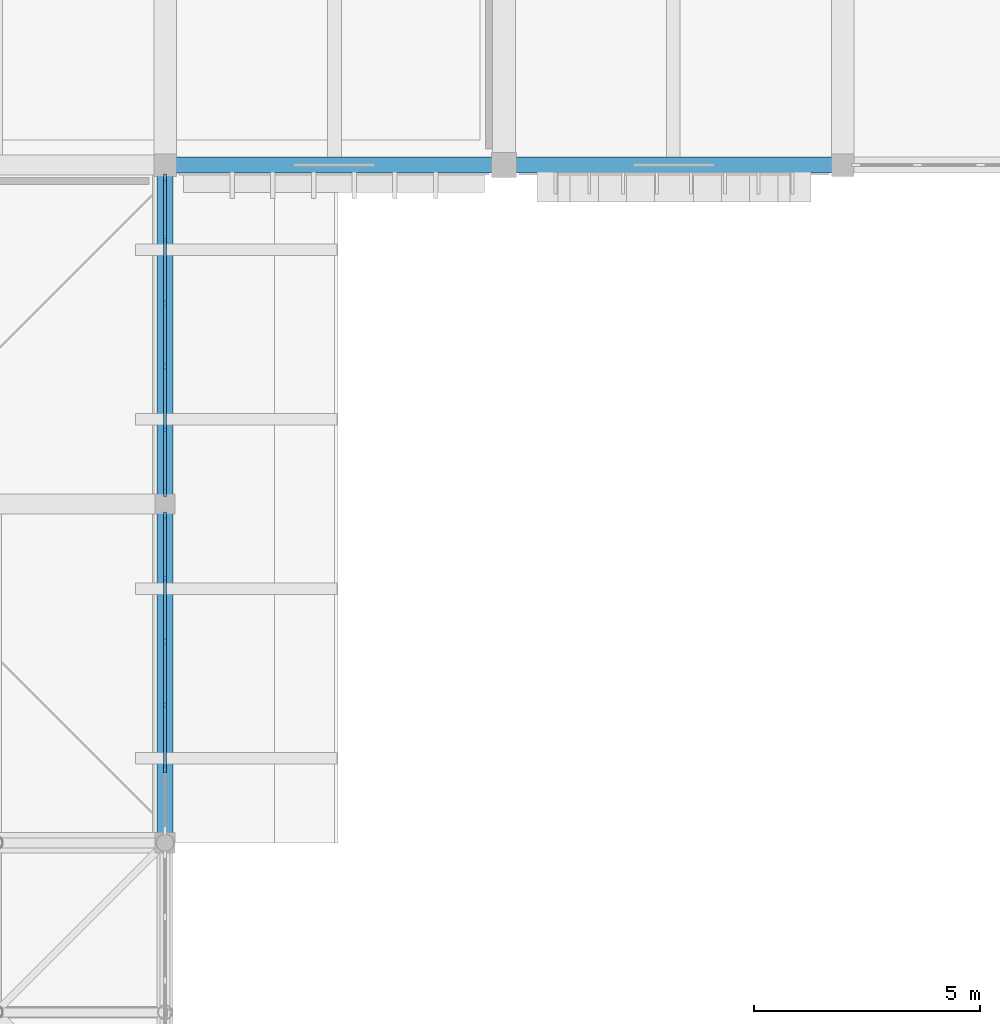
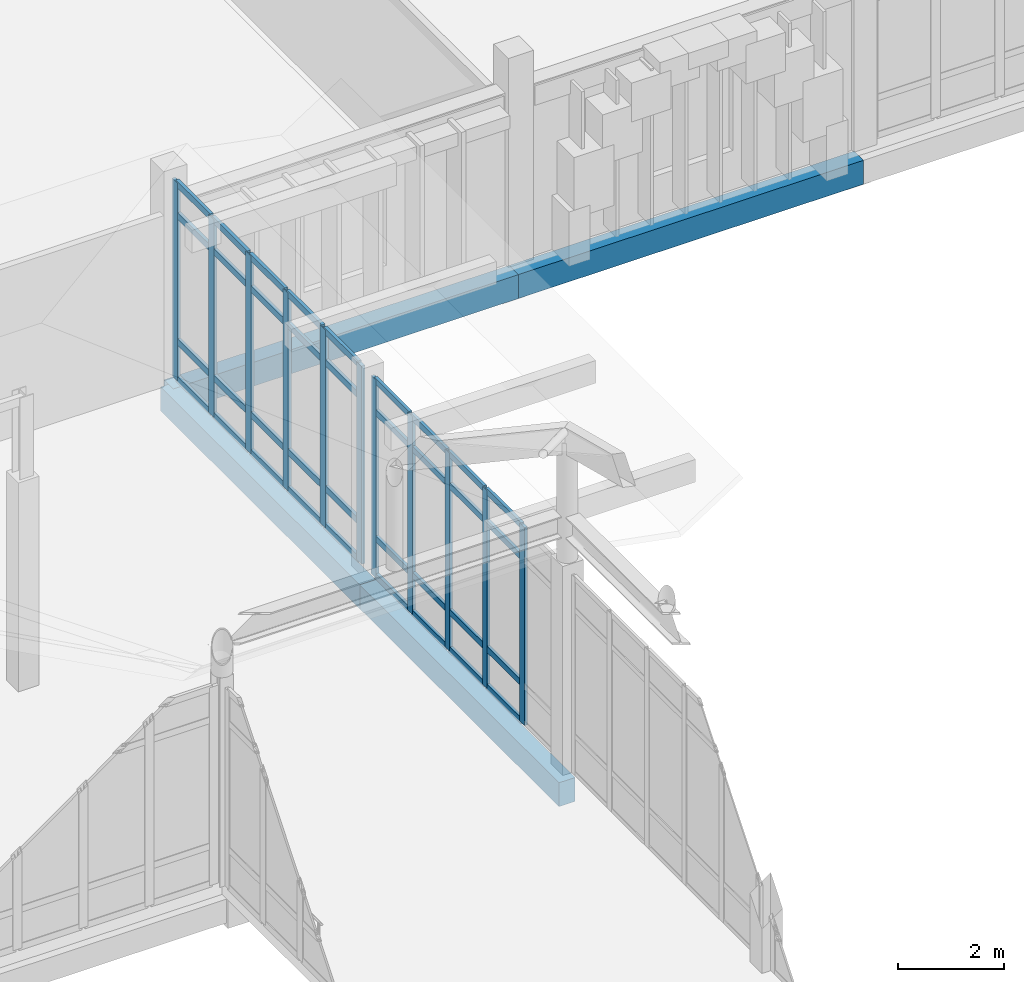
# One storey, part 59 of 131: 47 members, 4 beams, 2 elements without a shape of their own.
"""IFC4 building model written with IfcOpenShell, lengths in metres."""

from ifc_helpers import new_model, si_unit, direction, frame, origin, origin_2d, place, context, subcontext, project, spatial, rectangle, extrude, material, layer, layer_set, material_profile, profile_set, type_object, element, aggregate, save


model = new_model("IFC4")

# Units and contexts
model_context = context("Model", 3, precision=1e-05, world=origin(), true_north=direction((0.0, 1.0)))
body_context = subcontext(model_context, "Body", "Model", "MODEL_VIEW")
ifc_project = project(units=[si_unit("LENGTHUNIT", "METRE"), si_unit("AREAUNIT", "SQUARE_METRE"), si_unit("VOLUMEUNIT", "CUBIC_METRE"), si_unit("PLANEANGLEUNIT", "RADIAN"), si_unit("MASSUNIT", "GRAM", prefix="KILO")], contexts=[model_context])

# Site, building, storey
site_placement = place(None, origin())
site = spatial("IfcSite", under=ifc_project, at=site_placement, CompositionType="ELEMENT")
building_placement = place(site_placement, origin())
building = spatial("IfcBuilding", under=site, at=building_placement, Name="Dalvernix Boulevard General Hospital", CompositionType="ELEMENT")
storey_placement = place(building_placement, frame((0.0, 0.0, 9.300048828125)))
storey = spatial("IfcBuildingStorey", under=building, at=storey_placement, Name="L02", CompositionType="ELEMENT", Elevation=9.300048828125)

# Beams
ifc_material_1 = material(Name="Concrete C35/45", Category="concrete")
ifc_material_profile_1 = material_profile(ifc_material_1, rectangle(XDim=0.35009765625, YDim=0.550048828125, at=origin_2d()), Name="RCB 350x550")
ifc_profile_set_1 = profile_set([ifc_material_profile_1], Name="Concrete C35/45")
beam_type = type_object("IfcBeamType", Name="BM-SB-01-E", PredefinedType="SPANDREL", material=ifc_profile_set_1)
for number, where, z_axis, x_axis, name in (
    (1, (112.5, 76.5, -0.594970703125), (1.0, 0.0, 0.0), (0.0, 1.0, 0.0), "L02 E-W girder L:16-17"),
    (2, (120.0, 76.5, -0.594970703125), (1.0, 0.0, 0.0), (0.0, 1.0, 0.0), "L02 E-W girder L:17-18"),
    (3, (112.5, 61.5, -0.594970703125), (0.0, 1.0, 0.0), (-1.0, 0.0, 0.0), "L02 N-S girder 16:J-K"),
    (4, (112.5, 69.0, -0.594970703125), (0.0, 1.0, 0.0), (-1.0, 0.0, 0.0), "L02 N-S girder 16:K-L"),
):
    element("IfcBeam", number, at=place(storey_placement, frame(where, z_axis=z_axis, x_axis=x_axis)), inside=storey, type_object=beam_type, Name=name, PredefinedType="SPANDREL", context=body_context, shape_type="SweptSolid", body=[
        extrude(rectangle(XDim=0.35009765625, YDim=0.550048828125, at=origin_2d()), origin(), (0.0, 0.0, 1.0), 7.5),
    ])

# Curtain wall, members
ifc_material_2 = material(Name="Thermally broken aluminium and solar-control glass curtain wall", Category="aluminium")
ifc_layer_1 = layer(ifc_material_2, 0.179931640625)
ifc_layer_set_1 = layer_set([ifc_layer_1], Name="Thermally broken aluminium and solar-control glass curtain wall (CW-CW-B-70x46)")
curtain_wall_type_1 = type_object("IfcCurtainWallType", Name="CW-CW-B-70x46", PredefinedType="USERDEFINED", material=ifc_layer_set_1)
curtain_wall_1_placement = place(storey_placement, origin())
curtain_wall_1 = element("IfcCurtainWall", 5, at=curtain_wall_1_placement, inside=storey, type_object=curtain_wall_type_1, Name="L02 curtain wall CW-B-70x46 15-8", ObjectType="GLAZED FACADE", PredefinedType="USERDEFINED")
ifc_material_3 = material(Name="Aluminium EN AW-6060", Category="aluminium")
ifc_material_profile_2 = material_profile(ifc_material_3, rectangle(XDim=0.06494140625, YDim=0.179931640625, at=origin_2d()), Name="ALU MULL 65x180")
ifc_profile_set_2 = profile_set([ifc_material_profile_2], Name="Aluminium EN AW-6060")
member_type_1 = type_object("IfcMemberType", Name="MEM-CW-M2", PredefinedType="MULLION", material=ifc_profile_set_2)
member_1_placement = place(storey_placement, frame((112.5, 68.732421875, 0.0), z_axis=(0.0, 0.0, 1.0), x_axis=(1.0, 0.0, 0.0)))
member_1 = element("IfcMember", 6, at=member_1_placement, type_object=member_type_1, Name="CW-B-70x46 mullion 1", PredefinedType="MULLION", context=body_context, shape_type="SweptSolid", body=[
    extrude(rectangle(XDim=0.06494140625, YDim=0.179931640625, at=origin_2d()), origin(), (0.0, 0.0, 1.0), 4.550048828125),
])
member_2_placement = place(storey_placement, frame((112.5, 67.35888671875, 0.0), z_axis=(0.0, 0.0, 1.0), x_axis=(1.0, 0.0, 0.0)))
member_2 = element("IfcMember", 7, at=member_2_placement, type_object=member_type_1, Name="CW-B-70x46 mullion 2", PredefinedType="MULLION", context=body_context, shape_type="SweptSolid", body=[
    extrude(rectangle(XDim=0.06494140625, YDim=0.179931640625, at=origin_2d()), origin(), (0.0, 0.0, 1.0), 4.550048828125),
])
member_3_placement = place(storey_placement, frame((112.5, 65.952880859375, 0.0), z_axis=(0.0, 0.0, 1.0), x_axis=(1.0, 0.0, 0.0)))
member_3 = element("IfcMember", 8, at=member_3_placement, type_object=member_type_1, Name="CW-B-70x46 mullion 3", PredefinedType="MULLION", context=body_context, shape_type="SweptSolid", body=[
    extrude(rectangle(XDim=0.06494140625, YDim=0.179931640625, at=origin_2d()), origin(), (0.0, 0.0, 1.0), 4.550048828125),
])
member_4_placement = place(storey_placement, frame((112.5, 64.547119140625, 0.0), z_axis=(0.0, 0.0, 1.0), x_axis=(1.0, 0.0, 0.0)))
member_4 = element("IfcMember", 9, at=member_4_placement, type_object=member_type_1, Name="CW-B-70x46 mullion 4", PredefinedType="MULLION", context=body_context, shape_type="SweptSolid", body=[
    extrude(rectangle(XDim=0.06494140625, YDim=0.179931640625, at=origin_2d()), origin(), (0.0, 0.0, 1.0), 4.550048828125),
])
member_5_placement = place(storey_placement, frame((112.5, 63.14111328125, 0.0), z_axis=(0.0, 0.0, 1.0), x_axis=(1.0, 0.0, 0.0)))
member_5 = element("IfcMember", 10, at=member_5_placement, type_object=member_type_1, Name="CW-B-70x46 mullion 5", PredefinedType="MULLION", context=body_context, shape_type="SweptSolid", body=[
    extrude(rectangle(XDim=0.06494140625, YDim=0.179931640625, at=origin_2d()), origin(), (0.0, 0.0, 1.0), 4.550048828125),
])

ifc_layer_2 = layer(ifc_material_2, 0.199951171875)
ifc_layer_set_2 = layer_set([ifc_layer_2], Name="Thermally broken aluminium and solar-control glass curtain wall (CW-CW-C-70x46)")
curtain_wall_type_2 = type_object("IfcCurtainWallType", Name="CW-CW-C-70x46", PredefinedType="USERDEFINED", material=ifc_layer_set_2)
curtain_wall_2_placement = place(storey_placement, origin())
curtain_wall_2 = element("IfcCurtainWall", 11, at=curtain_wall_2_placement, inside=storey, type_object=curtain_wall_type_2, Name="L02 curtain wall CW-C-70x46 15-9", ObjectType="GLAZED FACADE", PredefinedType="USERDEFINED")
ifc_material_profile_3 = material_profile(ifc_material_3, rectangle(XDim=0.070068359375, YDim=0.199951171875, at=origin_2d()), Name="ALU MULL 70x200")
ifc_profile_set_3 = profile_set([ifc_material_profile_3], Name="Aluminium EN AW-6060")
member_type_2 = type_object("IfcMemberType", Name="MEM-CW-M3", PredefinedType="MULLION", material=ifc_profile_set_3)
member_6_placement = place(storey_placement, frame((112.5, 76.205078125, 0.0), z_axis=(0.0, 0.0, 1.0), x_axis=(1.0, 0.0, 0.0)))
member_6 = element("IfcMember", 12, at=member_6_placement, type_object=member_type_2, Name="CW-C-70x46 mullion 1", PredefinedType="MULLION", context=body_context, shape_type="SweptSolid", body=[
    extrude(rectangle(XDim=0.070068359375, YDim=0.199951171875, at=origin_2d()), origin(), (0.0, 0.0, 1.0), 4.550048828125),
])
member_7_placement = place(storey_placement, frame((112.5, 74.839111328125, 0.0), z_axis=(0.0, 0.0, 1.0), x_axis=(1.0, 0.0, 0.0)))
member_7 = element("IfcMember", 13, at=member_7_placement, type_object=member_type_2, Name="CW-C-70x46 mullion 2", PredefinedType="MULLION", context=body_context, shape_type="SweptSolid", body=[
    extrude(rectangle(XDim=0.070068359375, YDim=0.199951171875, at=origin_2d()), origin(), (0.0, 0.0, 1.0), 4.550048828125),
])
member_8_placement = place(storey_placement, frame((112.5, 73.43798828125, 0.0), z_axis=(0.0, 0.0, 1.0), x_axis=(1.0, 0.0, 0.0)))
member_8 = element("IfcMember", 14, at=member_8_placement, type_object=member_type_2, Name="CW-C-70x46 mullion 3", PredefinedType="MULLION", context=body_context, shape_type="SweptSolid", body=[
    extrude(rectangle(XDim=0.070068359375, YDim=0.199951171875, at=origin_2d()), origin(), (0.0, 0.0, 1.0), 4.550048828125),
])
member_9_placement = place(storey_placement, frame((112.5, 72.037109375, 0.0), z_axis=(0.0, 0.0, 1.0), x_axis=(1.0, 0.0, 0.0)))
member_9 = element("IfcMember", 15, at=member_9_placement, type_object=member_type_2, Name="CW-C-70x46 mullion 4", PredefinedType="MULLION", context=body_context, shape_type="SweptSolid", body=[
    extrude(rectangle(XDim=0.070068359375, YDim=0.199951171875, at=origin_2d()), origin(), (0.0, 0.0, 1.0), 4.550048828125),
])
member_10_placement = place(storey_placement, frame((112.5, 70.635986328125, 0.0), z_axis=(0.0, 0.0, 1.0), x_axis=(1.0, 0.0, 0.0)))
member_10 = element("IfcMember", 16, at=member_10_placement, type_object=member_type_2, Name="CW-C-70x46 mullion 5", PredefinedType="MULLION", context=body_context, shape_type="SweptSolid", body=[
    extrude(rectangle(XDim=0.070068359375, YDim=0.199951171875, at=origin_2d()), origin(), (0.0, 0.0, 1.0), 4.550048828125),
])
member_11_placement = place(storey_placement, frame((112.5, 69.27001953125, 0.0), z_axis=(0.0, 0.0, 1.0), x_axis=(1.0, 0.0, 0.0)))
member_11 = element("IfcMember", 17, at=member_11_placement, type_object=member_type_2, Name="CW-C-70x46 mullion 6", PredefinedType="MULLION", context=body_context, shape_type="SweptSolid", body=[
    extrude(rectangle(XDim=0.070068359375, YDim=0.199951171875, at=origin_2d()), origin(), (0.0, 0.0, 1.0), 4.550048828125),
])

# Member
ifc_material_profile_4 = material_profile(ifc_material_3, rectangle(XDim=0.06494140625, YDim=0.139892578125, at=origin_2d()), Name="ALU TRAN 65x140")
ifc_profile_set_4 = profile_set([ifc_material_profile_4], Name="Aluminium EN AW-6060")
member_type_3 = type_object("IfcMemberType", Name="MEM-CW-T2", PredefinedType="USERDEFINED", material=ifc_profile_set_4)
member_12_placement = place(storey_placement, frame((112.5, 68.699951171875, 0.032470703125), z_axis=(0.0, -1.0, 0.0), x_axis=(1.0, 0.0, 0.0)))
member_12 = element("IfcMember", 18, at=member_12_placement, type_object=member_type_3, Name="CW-B-70x46 transom 1.1", ObjectType="TRANSOM", PredefinedType="USERDEFINED", context=body_context, shape_type="SweptSolid", body=[
    extrude(rectangle(XDim=0.06494140625, YDim=0.139892578125, at=origin_2d()), origin(), (0.0, 0.0, 1.0), 1.308349609375),
])

member_13_placement = place(storey_placement, frame((112.5, 68.699951171875, 0.89990234375), z_axis=(0.0, -1.0, 0.0), x_axis=(1.0, 0.0, 0.0)))
member_13 = element("IfcMember", 19, at=member_13_placement, type_object=member_type_3, Name="CW-B-70x46 transom 1.2", ObjectType="TRANSOM", PredefinedType="USERDEFINED", context=body_context, shape_type="SweptSolid", body=[
    extrude(rectangle(XDim=0.06494140625, YDim=0.139892578125, at=origin_2d()), origin(), (0.0, 0.0, 1.0), 1.308349609375),
])

member_14_placement = place(storey_placement, frame((112.5, 68.699951171875, 3.800048828125), z_axis=(0.0, -1.0, 0.0), x_axis=(1.0, 0.0, 0.0)))
member_14 = element("IfcMember", 20, at=member_14_placement, type_object=member_type_3, Name="CW-B-70x46 transom 1.3", ObjectType="TRANSOM", PredefinedType="USERDEFINED", context=body_context, shape_type="SweptSolid", body=[
    extrude(rectangle(XDim=0.06494140625, YDim=0.139892578125, at=origin_2d()), origin(), (0.0, 0.0, 1.0), 1.308349609375),
])

member_15_placement = place(storey_placement, frame((112.5, 68.699951171875, 4.517333984375), z_axis=(0.0, -1.0, 0.0), x_axis=(1.0, 0.0, 0.0)))
member_15 = element("IfcMember", 21, at=member_15_placement, type_object=member_type_3, Name="CW-B-70x46 transom 1.4", ObjectType="TRANSOM", PredefinedType="USERDEFINED", context=body_context, shape_type="SweptSolid", body=[
    extrude(rectangle(XDim=0.06494140625, YDim=0.139892578125, at=origin_2d()), origin(), (0.0, 0.0, 1.0), 1.308349609375),
])

member_16_placement = place(storey_placement, frame((112.5, 67.326416015625, 0.032470703125), z_axis=(0.0, -1.0, 0.0), x_axis=(1.0, 0.0, 0.0)))
member_16 = element("IfcMember", 22, at=member_16_placement, type_object=member_type_3, Name="CW-B-70x46 transom 2.1", ObjectType="TRANSOM", PredefinedType="USERDEFINED", context=body_context, shape_type="SweptSolid", body=[
    extrude(rectangle(XDim=0.06494140625, YDim=0.139892578125, at=origin_2d()), origin(), (0.0, 0.0, 1.0), 1.3408203125),
])

member_17_placement = place(storey_placement, frame((112.5, 67.326416015625, 0.89990234375), z_axis=(0.0, -1.0, 0.0), x_axis=(1.0, 0.0, 0.0)))
member_17 = element("IfcMember", 23, at=member_17_placement, type_object=member_type_3, Name="CW-B-70x46 transom 2.2", ObjectType="TRANSOM", PredefinedType="USERDEFINED", context=body_context, shape_type="SweptSolid", body=[
    extrude(rectangle(XDim=0.06494140625, YDim=0.139892578125, at=origin_2d()), origin(), (0.0, 0.0, 1.0), 1.3408203125),
])

member_18_placement = place(storey_placement, frame((112.5, 67.326416015625, 3.800048828125), z_axis=(0.0, -1.0, 0.0), x_axis=(1.0, 0.0, 0.0)))
member_18 = element("IfcMember", 24, at=member_18_placement, type_object=member_type_3, Name="CW-B-70x46 transom 2.3", ObjectType="TRANSOM", PredefinedType="USERDEFINED", context=body_context, shape_type="SweptSolid", body=[
    extrude(rectangle(XDim=0.06494140625, YDim=0.139892578125, at=origin_2d()), origin(), (0.0, 0.0, 1.0), 1.3408203125),
])

member_19_placement = place(storey_placement, frame((112.5, 67.326416015625, 4.517333984375), z_axis=(0.0, -1.0, 0.0), x_axis=(1.0, 0.0, 0.0)))
member_19 = element("IfcMember", 25, at=member_19_placement, type_object=member_type_3, Name="CW-B-70x46 transom 2.4", ObjectType="TRANSOM", PredefinedType="USERDEFINED", context=body_context, shape_type="SweptSolid", body=[
    extrude(rectangle(XDim=0.06494140625, YDim=0.139892578125, at=origin_2d()), origin(), (0.0, 0.0, 1.0), 1.3408203125),
])

member_20_placement = place(storey_placement, frame((112.5, 65.92041015625, 0.032470703125), z_axis=(0.0, -1.0, 0.0), x_axis=(1.0, 0.0, 0.0)))
member_20 = element("IfcMember", 26, at=member_20_placement, type_object=member_type_3, Name="CW-B-70x46 transom 3.1", ObjectType="TRANSOM", PredefinedType="USERDEFINED", context=body_context, shape_type="SweptSolid", body=[
    extrude(rectangle(XDim=0.06494140625, YDim=0.139892578125, at=origin_2d()), origin(), (0.0, 0.0, 1.0), 1.3408203125),
])

member_21_placement = place(storey_placement, frame((112.5, 65.92041015625, 0.89990234375), z_axis=(0.0, -1.0, 0.0), x_axis=(1.0, 0.0, 0.0)))
member_21 = element("IfcMember", 27, at=member_21_placement, type_object=member_type_3, Name="CW-B-70x46 transom 3.2", ObjectType="TRANSOM", PredefinedType="USERDEFINED", context=body_context, shape_type="SweptSolid", body=[
    extrude(rectangle(XDim=0.06494140625, YDim=0.139892578125, at=origin_2d()), origin(), (0.0, 0.0, 1.0), 1.3408203125),
])

member_22_placement = place(storey_placement, frame((112.5, 65.92041015625, 3.800048828125), z_axis=(0.0, -1.0, 0.0), x_axis=(1.0, 0.0, 0.0)))
member_22 = element("IfcMember", 28, at=member_22_placement, type_object=member_type_3, Name="CW-B-70x46 transom 3.3", ObjectType="TRANSOM", PredefinedType="USERDEFINED", context=body_context, shape_type="SweptSolid", body=[
    extrude(rectangle(XDim=0.06494140625, YDim=0.139892578125, at=origin_2d()), origin(), (0.0, 0.0, 1.0), 1.3408203125),
])

member_23_placement = place(storey_placement, frame((112.5, 65.92041015625, 4.517333984375), z_axis=(0.0, -1.0, 0.0), x_axis=(1.0, 0.0, 0.0)))
member_23 = element("IfcMember", 29, at=member_23_placement, type_object=member_type_3, Name="CW-B-70x46 transom 3.4", ObjectType="TRANSOM", PredefinedType="USERDEFINED", context=body_context, shape_type="SweptSolid", body=[
    extrude(rectangle(XDim=0.06494140625, YDim=0.139892578125, at=origin_2d()), origin(), (0.0, 0.0, 1.0), 1.3408203125),
])

member_24_placement = place(storey_placement, frame((112.5, 64.514404296875, 0.032470703125), z_axis=(0.0, -1.0, 0.0), x_axis=(1.0, 0.0, 0.0)))
member_24 = element("IfcMember", 30, at=member_24_placement, type_object=member_type_3, Name="CW-B-70x46 transom 4.1", ObjectType="TRANSOM", PredefinedType="USERDEFINED", context=body_context, shape_type="SweptSolid", body=[
    extrude(rectangle(XDim=0.06494140625, YDim=0.139892578125, at=origin_2d()), origin(), (0.0, 0.0, 1.0), 1.3408203125),
])

member_25_placement = place(storey_placement, frame((112.5, 64.514404296875, 0.89990234375), z_axis=(0.0, -1.0, 0.0), x_axis=(1.0, 0.0, 0.0)))
member_25 = element("IfcMember", 31, at=member_25_placement, type_object=member_type_3, Name="CW-B-70x46 transom 4.2", ObjectType="TRANSOM", PredefinedType="USERDEFINED", context=body_context, shape_type="SweptSolid", body=[
    extrude(rectangle(XDim=0.06494140625, YDim=0.139892578125, at=origin_2d()), origin(), (0.0, 0.0, 1.0), 1.3408203125),
])

member_26_placement = place(storey_placement, frame((112.5, 64.514404296875, 3.800048828125), z_axis=(0.0, -1.0, 0.0), x_axis=(1.0, 0.0, 0.0)))
member_26 = element("IfcMember", 32, at=member_26_placement, type_object=member_type_3, Name="CW-B-70x46 transom 4.3", ObjectType="TRANSOM", PredefinedType="USERDEFINED", context=body_context, shape_type="SweptSolid", body=[
    extrude(rectangle(XDim=0.06494140625, YDim=0.139892578125, at=origin_2d()), origin(), (0.0, 0.0, 1.0), 1.3408203125),
])

member_27_placement = place(storey_placement, frame((112.5, 64.514404296875, 4.517333984375), z_axis=(0.0, -1.0, 0.0), x_axis=(1.0, 0.0, 0.0)))
member_27 = element("IfcMember", 33, at=member_27_placement, type_object=member_type_3, Name="CW-B-70x46 transom 4.4", ObjectType="TRANSOM", PredefinedType="USERDEFINED", context=body_context, shape_type="SweptSolid", body=[
    extrude(rectangle(XDim=0.06494140625, YDim=0.139892578125, at=origin_2d()), origin(), (0.0, 0.0, 1.0), 1.3408203125),
])

aggregate(curtain_wall_1, [member_1, member_2, member_3, member_4, member_5, member_12, member_13, member_14, member_15, member_16, member_17, member_18, member_19, member_20, member_21, member_22, member_23, member_24, member_25, member_26, member_27])

ifc_material_profile_5 = material_profile(ifc_material_3, rectangle(XDim=0.070068359375, YDim=0.14990234375, at=origin_2d()), Name="ALU TRAN 70x150")
ifc_profile_set_5 = profile_set([ifc_material_profile_5], Name="Aluminium EN AW-6060")
member_type_4 = type_object("IfcMemberType", Name="MEM-CW-T3", PredefinedType="USERDEFINED", material=ifc_profile_set_5)
member_28_placement = place(storey_placement, frame((112.5, 76.169921875, 0.034912109375), z_axis=(0.0, -1.0, 0.0), x_axis=(1.0, 0.0, 0.0)))
member_28 = element("IfcMember", 34, at=member_28_placement, type_object=member_type_4, Name="CW-C-70x46 transom 1.1", ObjectType="TRANSOM", PredefinedType="USERDEFINED", context=body_context, shape_type="SweptSolid", body=[
    extrude(rectangle(XDim=0.070068359375, YDim=0.14990234375, at=origin_2d()), origin(), (0.0, 0.0, 1.0), 1.2958984375),
])

member_29_placement = place(storey_placement, frame((112.5, 76.169921875, 0.89990234375), z_axis=(0.0, -1.0, 0.0), x_axis=(1.0, 0.0, 0.0)))
member_29 = element("IfcMember", 35, at=member_29_placement, type_object=member_type_4, Name="CW-C-70x46 transom 1.2", ObjectType="TRANSOM", PredefinedType="USERDEFINED", context=body_context, shape_type="SweptSolid", body=[
    extrude(rectangle(XDim=0.070068359375, YDim=0.14990234375, at=origin_2d()), origin(), (0.0, 0.0, 1.0), 1.2958984375),
])

member_30_placement = place(storey_placement, frame((112.5, 76.169921875, 3.800048828125), z_axis=(0.0, -1.0, 0.0), x_axis=(1.0, 0.0, 0.0)))
member_30 = element("IfcMember", 36, at=member_30_placement, type_object=member_type_4, Name="CW-C-70x46 transom 1.3", ObjectType="TRANSOM", PredefinedType="USERDEFINED", context=body_context, shape_type="SweptSolid", body=[
    extrude(rectangle(XDim=0.070068359375, YDim=0.14990234375, at=origin_2d()), origin(), (0.0, 0.0, 1.0), 1.2958984375),
])

member_31_placement = place(storey_placement, frame((112.5, 76.169921875, 4.514892578125), z_axis=(0.0, -1.0, 0.0), x_axis=(1.0, 0.0, 0.0)))
member_31 = element("IfcMember", 37, at=member_31_placement, type_object=member_type_4, Name="CW-C-70x46 transom 1.4", ObjectType="TRANSOM", PredefinedType="USERDEFINED", context=body_context, shape_type="SweptSolid", body=[
    extrude(rectangle(XDim=0.070068359375, YDim=0.14990234375, at=origin_2d()), origin(), (0.0, 0.0, 1.0), 1.2958984375),
])

member_32_placement = place(storey_placement, frame((112.5, 74.803955078125, 0.034912109375), z_axis=(0.0, -1.0, 0.0), x_axis=(1.0, 0.0, 0.0)))
member_32 = element("IfcMember", 38, at=member_32_placement, type_object=member_type_4, Name="CW-C-70x46 transom 2.1", ObjectType="TRANSOM", PredefinedType="USERDEFINED", context=body_context, shape_type="SweptSolid", body=[
    extrude(rectangle(XDim=0.070068359375, YDim=0.14990234375, at=origin_2d()), origin(), (0.0, 0.0, 1.0), 1.3310546875),
])

member_33_placement = place(storey_placement, frame((112.5, 74.803955078125, 0.89990234375), z_axis=(0.0, -1.0, 0.0), x_axis=(1.0, 0.0, 0.0)))
member_33 = element("IfcMember", 39, at=member_33_placement, type_object=member_type_4, Name="CW-C-70x46 transom 2.2", ObjectType="TRANSOM", PredefinedType="USERDEFINED", context=body_context, shape_type="SweptSolid", body=[
    extrude(rectangle(XDim=0.070068359375, YDim=0.14990234375, at=origin_2d()), origin(), (0.0, 0.0, 1.0), 1.3310546875),
])

member_34_placement = place(storey_placement, frame((112.5, 74.803955078125, 3.800048828125), z_axis=(0.0, -1.0, 0.0), x_axis=(1.0, 0.0, 0.0)))
member_34 = element("IfcMember", 40, at=member_34_placement, type_object=member_type_4, Name="CW-C-70x46 transom 2.3", ObjectType="TRANSOM", PredefinedType="USERDEFINED", context=body_context, shape_type="SweptSolid", body=[
    extrude(rectangle(XDim=0.070068359375, YDim=0.14990234375, at=origin_2d()), origin(), (0.0, 0.0, 1.0), 1.3310546875),
])

member_35_placement = place(storey_placement, frame((112.5, 74.803955078125, 4.514892578125), z_axis=(0.0, -1.0, 0.0), x_axis=(1.0, 0.0, 0.0)))
member_35 = element("IfcMember", 41, at=member_35_placement, type_object=member_type_4, Name="CW-C-70x46 transom 2.4", ObjectType="TRANSOM", PredefinedType="USERDEFINED", context=body_context, shape_type="SweptSolid", body=[
    extrude(rectangle(XDim=0.070068359375, YDim=0.14990234375, at=origin_2d()), origin(), (0.0, 0.0, 1.0), 1.3310546875),
])

member_36_placement = place(storey_placement, frame((112.5, 73.403076171875, 0.034912109375), z_axis=(0.0, -1.0, 0.0), x_axis=(1.0, 0.0, 0.0)))
member_36 = element("IfcMember", 42, at=member_36_placement, type_object=member_type_4, Name="CW-C-70x46 transom 3.1", ObjectType="TRANSOM", PredefinedType="USERDEFINED", context=body_context, shape_type="SweptSolid", body=[
    extrude(rectangle(XDim=0.070068359375, YDim=0.14990234375, at=origin_2d()), origin(), (0.0, 0.0, 1.0), 1.3310546875),
])

member_37_placement = place(storey_placement, frame((112.5, 73.403076171875, 0.89990234375), z_axis=(0.0, -1.0, 0.0), x_axis=(1.0, 0.0, 0.0)))
member_37 = element("IfcMember", 43, at=member_37_placement, type_object=member_type_4, Name="CW-C-70x46 transom 3.2", ObjectType="TRANSOM", PredefinedType="USERDEFINED", context=body_context, shape_type="SweptSolid", body=[
    extrude(rectangle(XDim=0.070068359375, YDim=0.14990234375, at=origin_2d()), origin(), (0.0, 0.0, 1.0), 1.3310546875),
])

member_38_placement = place(storey_placement, frame((112.5, 73.403076171875, 3.800048828125), z_axis=(0.0, -1.0, 0.0), x_axis=(1.0, 0.0, 0.0)))
member_38 = element("IfcMember", 44, at=member_38_placement, type_object=member_type_4, Name="CW-C-70x46 transom 3.3", ObjectType="TRANSOM", PredefinedType="USERDEFINED", context=body_context, shape_type="SweptSolid", body=[
    extrude(rectangle(XDim=0.070068359375, YDim=0.14990234375, at=origin_2d()), origin(), (0.0, 0.0, 1.0), 1.3310546875),
])

member_39_placement = place(storey_placement, frame((112.5, 73.403076171875, 4.514892578125), z_axis=(0.0, -1.0, 0.0), x_axis=(1.0, 0.0, 0.0)))
member_39 = element("IfcMember", 45, at=member_39_placement, type_object=member_type_4, Name="CW-C-70x46 transom 3.4", ObjectType="TRANSOM", PredefinedType="USERDEFINED", context=body_context, shape_type="SweptSolid", body=[
    extrude(rectangle(XDim=0.070068359375, YDim=0.14990234375, at=origin_2d()), origin(), (0.0, 0.0, 1.0), 1.3310546875),
])

member_40_placement = place(storey_placement, frame((112.5, 72.001953125, 0.034912109375), z_axis=(0.0, -1.0, 0.0), x_axis=(1.0, 0.0, 0.0)))
member_40 = element("IfcMember", 46, at=member_40_placement, type_object=member_type_4, Name="CW-C-70x46 transom 4.1", ObjectType="TRANSOM", PredefinedType="USERDEFINED", context=body_context, shape_type="SweptSolid", body=[
    extrude(rectangle(XDim=0.070068359375, YDim=0.14990234375, at=origin_2d()), origin(), (0.0, 0.0, 1.0), 1.3310546875),
])

member_41_placement = place(storey_placement, frame((112.5, 72.001953125, 0.89990234375), z_axis=(0.0, -1.0, 0.0), x_axis=(1.0, 0.0, 0.0)))
member_41 = element("IfcMember", 47, at=member_41_placement, type_object=member_type_4, Name="CW-C-70x46 transom 4.2", ObjectType="TRANSOM", PredefinedType="USERDEFINED", context=body_context, shape_type="SweptSolid", body=[
    extrude(rectangle(XDim=0.070068359375, YDim=0.14990234375, at=origin_2d()), origin(), (0.0, 0.0, 1.0), 1.3310546875),
])

member_42_placement = place(storey_placement, frame((112.5, 72.001953125, 3.800048828125), z_axis=(0.0, -1.0, 0.0), x_axis=(1.0, 0.0, 0.0)))
member_42 = element("IfcMember", 48, at=member_42_placement, type_object=member_type_4, Name="CW-C-70x46 transom 4.3", ObjectType="TRANSOM", PredefinedType="USERDEFINED", context=body_context, shape_type="SweptSolid", body=[
    extrude(rectangle(XDim=0.070068359375, YDim=0.14990234375, at=origin_2d()), origin(), (0.0, 0.0, 1.0), 1.3310546875),
])

member_43_placement = place(storey_placement, frame((112.5, 72.001953125, 4.514892578125), z_axis=(0.0, -1.0, 0.0), x_axis=(1.0, 0.0, 0.0)))
member_43 = element("IfcMember", 49, at=member_43_placement, type_object=member_type_4, Name="CW-C-70x46 transom 4.4", ObjectType="TRANSOM", PredefinedType="USERDEFINED", context=body_context, shape_type="SweptSolid", body=[
    extrude(rectangle(XDim=0.070068359375, YDim=0.14990234375, at=origin_2d()), origin(), (0.0, 0.0, 1.0), 1.3310546875),
])

member_44_placement = place(storey_placement, frame((112.5, 70.60107421875, 0.034912109375), z_axis=(0.0, -1.0, 0.0), x_axis=(1.0, 0.0, 0.0)))
member_44 = element("IfcMember", 50, at=member_44_placement, type_object=member_type_4, Name="CW-C-70x46 transom 5.1", ObjectType="TRANSOM", PredefinedType="USERDEFINED", context=body_context, shape_type="SweptSolid", body=[
    extrude(rectangle(XDim=0.070068359375, YDim=0.14990234375, at=origin_2d()), origin(), (0.0, 0.0, 1.0), 1.296142578125),
])

member_45_placement = place(storey_placement, frame((112.5, 70.60107421875, 0.89990234375), z_axis=(0.0, -1.0, 0.0), x_axis=(1.0, 0.0, 0.0)))
member_45 = element("IfcMember", 51, at=member_45_placement, type_object=member_type_4, Name="CW-C-70x46 transom 5.2", ObjectType="TRANSOM", PredefinedType="USERDEFINED", context=body_context, shape_type="SweptSolid", body=[
    extrude(rectangle(XDim=0.070068359375, YDim=0.14990234375, at=origin_2d()), origin(), (0.0, 0.0, 1.0), 1.296142578125),
])

member_46_placement = place(storey_placement, frame((112.5, 70.60107421875, 3.800048828125), z_axis=(0.0, -1.0, 0.0), x_axis=(1.0, 0.0, 0.0)))
member_46 = element("IfcMember", 52, at=member_46_placement, type_object=member_type_4, Name="CW-C-70x46 transom 5.3", ObjectType="TRANSOM", PredefinedType="USERDEFINED", context=body_context, shape_type="SweptSolid", body=[
    extrude(rectangle(XDim=0.070068359375, YDim=0.14990234375, at=origin_2d()), origin(), (0.0, 0.0, 1.0), 1.296142578125),
])

member_47_placement = place(storey_placement, frame((112.5, 70.60107421875, 4.514892578125), z_axis=(0.0, -1.0, 0.0), x_axis=(1.0, 0.0, 0.0)))
member_47 = element("IfcMember", 53, at=member_47_placement, type_object=member_type_4, Name="CW-C-70x46 transom 5.4", ObjectType="TRANSOM", PredefinedType="USERDEFINED", context=body_context, shape_type="SweptSolid", body=[
    extrude(rectangle(XDim=0.070068359375, YDim=0.14990234375, at=origin_2d()), origin(), (0.0, 0.0, 1.0), 1.296142578125),
])

aggregate(curtain_wall_2, [member_6, member_7, member_8, member_9, member_10, member_11, member_28, member_29, member_30, member_31, member_32, member_33, member_34, member_35, member_36, member_37, member_38, member_39, member_40, member_41, member_42, member_43, member_44, member_45, member_46, member_47])

save(model, "model.ifc")
